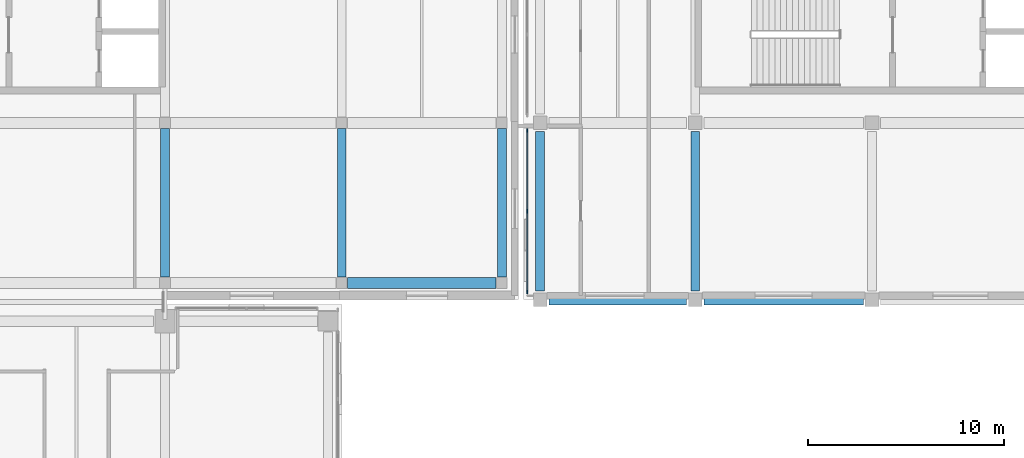
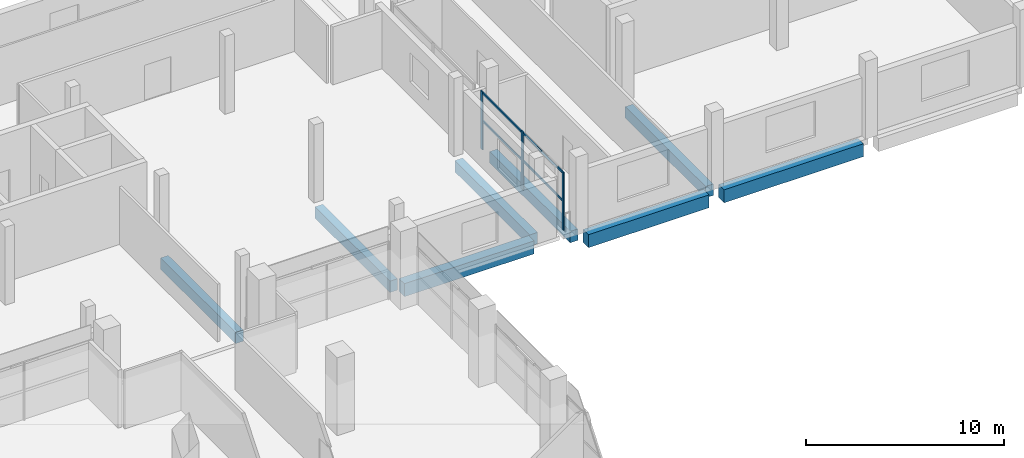
# One storey, part 25 of 111: 8 beams, 5 members, 1 element without a shape of its own.
"""IFC4 building model written with IfcOpenShell, lengths in metres."""

from ifc_helpers import new_model, si_unit, direction, frame, origin, origin_2d, place, context, subcontext, project, spatial, rectangle, extrude, material, material_profile, profile_set, type_object, element, aggregate, save


model = new_model("IFC4")

# Units and contexts
model_context = context("Model", 3, precision=1e-05, world=origin(), true_north=direction((0.0, 1.0)))
body_context = subcontext(model_context, "Body", "Model", "MODEL_VIEW")
ifc_project = project(units=[si_unit("LENGTHUNIT", "METRE"), si_unit("AREAUNIT", "SQUARE_METRE"), si_unit("VOLUMEUNIT", "CUBIC_METRE"), si_unit("PLANEANGLEUNIT", "RADIAN"), si_unit("MASSUNIT", "GRAM", prefix="KILO"), si_unit("THERMODYNAMICTEMPERATUREUNIT", "KELVIN"), si_unit("POWERUNIT", "WATT")], contexts=[model_context])

# Site, building, storey
site_placement = place(None, origin())
site = spatial("IfcSite", under=ifc_project, at=site_placement, CompositionType="ELEMENT")
building_placement = place(site_placement, origin())
building = spatial("IfcBuilding", under=site, at=building_placement, Name="Sindhuravela Promenade Stadium", CompositionType="ELEMENT")
storey_placement = place(building_placement, frame((0.0, 0.0, 9.60009765625)))
storey = spatial("IfcBuildingStorey", under=building, at=storey_placement, Name="L02", CompositionType="ELEMENT", Elevation=9.60009765625)

# Curtain wall, members
ifc_material_1 = material(Name="Anodised architectural aluminium 6063-T6", Category="aluminium")
curtain_wall_type = type_object("IfcCurtainWallType", Name="CW-MOD-1", PredefinedType="NOTDEFINED", material=ifc_material_1)
curtain_wall_placement = place(storey_placement, origin())
curtain_wall = element("IfcCurtainWall", 1, at=curtain_wall_placement, inside=storey, type_object=curtain_wall_type, Name="Bronze curtain wall CW-NORTH-L02-152", PredefinedType="NOTDEFINED")
ifc_material_profile_1 = material_profile(ifc_material_1, rectangle(XDim=0.06005859375, YDim=0.179931640625, at=origin_2d()), Name="ALU M60x180")
ifc_profile_set_1 = profile_set([ifc_material_profile_1], Name="Anodised architectural aluminium 6063-T6")
member_type_1 = type_object("IfcMemberType", Name="CW-MUL-3", PredefinedType="MULLION", material=ifc_profile_set_1)
member_1_placement = place(storey_placement, frame((54.449951171875, 126.39990234375, 0.0), z_axis=(0.0, 0.0, 1.0), x_axis=(1.0, 0.0, 0.0)))
member_1 = element("IfcMember", 2, at=member_1_placement, type_object=member_type_1, Name="Curtain wall mullion CW-NORTH-L02-152-M1", PredefinedType="MULLION", context=body_context, shape_type="SweptSolid", body=[
    extrude(rectangle(XDim=0.06005859375, YDim=0.179931640625, at=origin_2d()), origin(), (0.0, 0.0, 1.0), 3.579833984375),
])
member_2_placement = place(storey_placement, frame((54.449951171875, 130.5, 0.0), z_axis=(0.0, 0.0, 1.0), x_axis=(1.0, 0.0, 0.0)))
member_2 = element("IfcMember", 3, at=member_2_placement, type_object=member_type_1, Name="Curtain wall mullion CW-NORTH-L02-152-M2", PredefinedType="MULLION", context=body_context, shape_type="SweptSolid", body=[
    extrude(rectangle(XDim=0.06005859375, YDim=0.179931640625, at=origin_2d()), origin(), (0.0, 0.0, 1.0), 3.579833984375),
])
member_3_placement = place(storey_placement, frame((54.449951171875, 134.60009765625, 0.0), z_axis=(0.0, 0.0, 1.0), x_axis=(1.0, 0.0, 0.0)))
member_3 = element("IfcMember", 4, at=member_3_placement, type_object=member_type_1, Name="Curtain wall mullion CW-NORTH-L02-152-M3", PredefinedType="MULLION", context=body_context, shape_type="SweptSolid", body=[
    extrude(rectangle(XDim=0.06005859375, YDim=0.179931640625, at=origin_2d()), origin(), (0.0, 0.0, 1.0), 3.579833984375),
])
ifc_material_profile_2 = material_profile(ifc_material_1, rectangle(XDim=0.06005859375, YDim=0.1298828125, at=origin_2d()), Name="ALU T60x130")
ifc_profile_set_2 = profile_set([ifc_material_profile_2], Name="Anodised architectural aluminium 6063-T6")
member_type_2 = type_object("IfcMemberType", Name="CW-TRN-3", PredefinedType="USERDEFINED", material=ifc_profile_set_2)
member_4_placement = place(storey_placement, frame((54.449951171875, 126.375, 1.789794921875), z_axis=(0.0, 1.0, 0.0), x_axis=(-1.0, 0.0, 0.0)))
member_4 = element("IfcMember", 5, at=member_4_placement, type_object=member_type_2, Name="Curtain wall transom CW-NORTH-L02-152-T1", ObjectType="TRANSOM", PredefinedType="USERDEFINED", context=body_context, shape_type="SweptSolid", body=[
    extrude(rectangle(XDim=0.06005859375, YDim=0.1298828125, at=origin_2d()), origin(), (0.0, 0.0, 1.0), 8.25),
])
member_5_placement = place(storey_placement, frame((54.449951171875, 126.375, 3.5), z_axis=(0.0, 1.0, 0.0), x_axis=(-1.0, 0.0, 0.0)))
member_5 = element("IfcMember", 6, at=member_5_placement, type_object=member_type_2, Name="Curtain wall transom CW-NORTH-L02-152-T2", ObjectType="TRANSOM", PredefinedType="USERDEFINED", context=body_context, shape_type="SweptSolid", body=[
    extrude(rectangle(XDim=0.06005859375, YDim=0.1298828125, at=origin_2d()), origin(), (0.0, 0.0, 1.0), 8.25),
])
aggregate(curtain_wall, [member_1, member_2, member_3, member_4, member_5])

# Beams
ifc_material_2 = material(Name="Concrete M40", Category="concrete")
ifc_material_profile_3 = material_profile(ifc_material_2, rectangle(XDim=0.449951171875, YDim=0.699951171875, at=origin_2d()), Name="RC 450x700")
ifc_profile_set_3 = profile_set([ifc_material_profile_3], Name="Concrete M40")
beam_type_1 = type_object("IfcBeamType", Name="RC-BM-450x700", PredefinedType="BEAM", material=ifc_profile_set_3)
for number, where, z_axis, x_axis, name in (
    (7, (55.10009765625, 126.43994140625, -0.630126953125), (0.0, 1.0, 0.0), (-1.0, 0.0, 0.0), "Primary beam GB07 NORTH L02"),
    (8, (63.0, 126.43994140625, -0.630126953125), (0.0, 1.0, 0.0), (-1.0, 0.0, 0.0), "Primary beam GB07 NORTH L02"),
):
    element("IfcBeam", number, at=place(storey_placement, frame(where, z_axis=z_axis, x_axis=x_axis)), inside=storey, type_object=beam_type_1, Name=name, PredefinedType="BEAM", context=body_context, shape_type="SweptSolid", body=[
        extrude(rectangle(XDim=0.449951171875, YDim=0.699951171875, at=origin_2d()), origin(), (0.0, 0.0, 1.0), 8.1201171875),
    ])
for number, where, z_axis, x_axis, name in (
    (9, (36.0, 127.139892578125, -0.585205078125), (0.0, 1.0, 0.0), (-1.0, 0.0, 0.0), "Primary beam GB07 Pavilion NW L02"),
    (10, (45.0, 127.139892578125, -0.585205078125), (0.0, 1.0, 0.0), (-1.0, 0.0, 0.0), "Primary beam GB07 Pavilion NW L02"),
    (11, (53.14990234375, 127.139892578125, -0.585205078125), (0.0, 1.0, 0.0), (-1.0, 0.0, 0.0), "Primary beam GB07 Pavilion NW L02"),
):
    element("IfcBeam", number, at=place(storey_placement, frame(where, z_axis=z_axis, x_axis=x_axis)), inside=storey, type_object=beam_type_1, Name=name, PredefinedType="BEAM", context=body_context, shape_type="SweptSolid", body=[
        extrude(rectangle(XDim=0.449951171875, YDim=0.699951171875, at=origin_2d()), origin(), (0.0, 0.0, 1.0), 7.570068359375),
    ])
ifc_material_profile_4 = material_profile(ifc_material_2, rectangle(XDim=0.550048828125, YDim=0.800048828125, at=origin_2d()), Name="RC 550x800")
ifc_profile_set_4 = profile_set([ifc_material_profile_4], Name="Concrete M40")
beam_type_2 = type_object("IfcBeamType", Name="RC-BM-550x800", PredefinedType="BEAM", material=ifc_profile_set_4)
beam_1_placement = place(storey_placement, frame((55.5400390625, 126.0, -0.68017578125), z_axis=(1.0, 0.0, 0.0), x_axis=(0.0, 1.0, 0.0)))
element("IfcBeam", 12, at=beam_1_placement, inside=storey, type_object=beam_type_2, Name="Primary girder GB05 NORTH L02", PredefinedType="BEAM", context=body_context, shape_type="SweptSolid", body=[
    extrude(rectangle(XDim=0.550048828125, YDim=0.800048828125, at=origin_2d()), origin(), (0.0, 0.0, 1.0), 7.02001953125),
])
beam_2_placement = place(storey_placement, frame((63.43994140625, 126.0, -0.68017578125), z_axis=(1.0, 0.0, 0.0), x_axis=(0.0, 1.0, 0.0)))
element("IfcBeam", 13, at=beam_2_placement, inside=storey, type_object=beam_type_2, Name="Primary girder GB05 NORTH L02", PredefinedType="BEAM", context=body_context, shape_type="SweptSolid", body=[
    extrude(rectangle(XDim=0.550048828125, YDim=0.800048828125, at=origin_2d()), origin(), (0.0, 0.0, 1.0), 8.1201171875),
])
beam_3_placement = place(storey_placement, frame((45.2900390625, 126.85009765625, -0.635009765625), z_axis=(1.0, 0.0, 0.0), x_axis=(0.0, 1.0, 0.0)))
element("IfcBeam", 14, at=beam_3_placement, inside=storey, type_object=beam_type_2, Name="Primary girder GB05 Pavilion NW L02", PredefinedType="BEAM", context=body_context, shape_type="SweptSolid", body=[
    extrude(rectangle(XDim=0.550048828125, YDim=0.800048828125, at=origin_2d()), origin(), (0.0, 0.0, 1.0), 7.570068359375),
])

save(model, "model.ifc")
